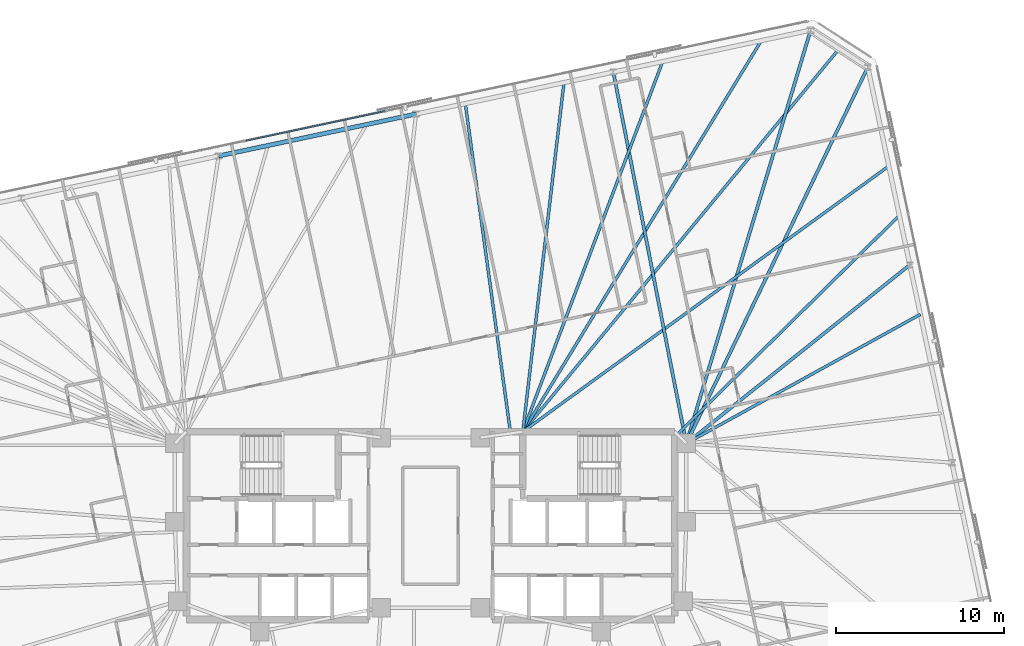
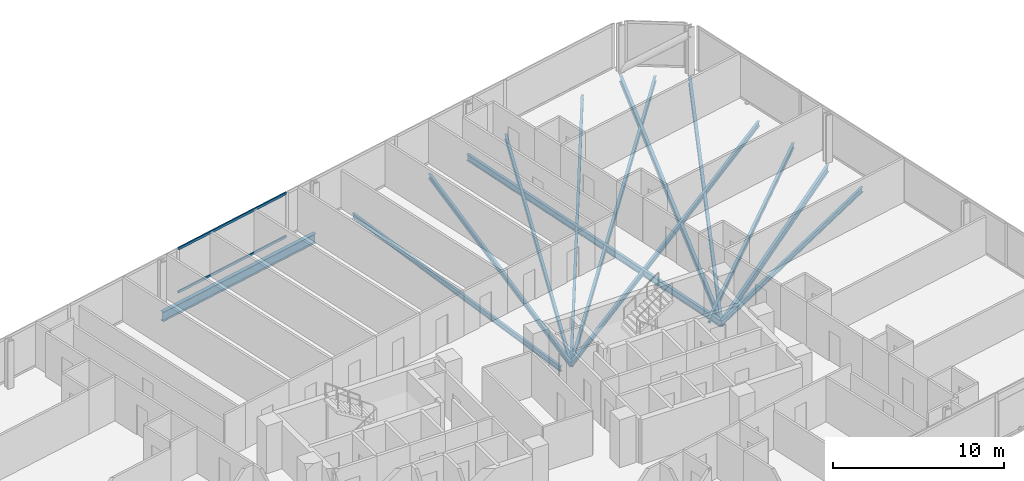
# One storey, part 10 of 21: 13 beams, 2 members, 1 element without a shape of its own.
"""IFC4 building model written with IfcOpenShell, lengths in metres."""

from ifc_helpers import new_model, si_unit, direction, frame, origin, origin_2d, place, context, subcontext, project, spatial, rectangle, i_section, extrude, material, material_profile, profile_set, type_object, element, aggregate, save


model = new_model("IFC4")

# Units and contexts
model_context = context("Model", 3, precision=1e-05, world=origin(), true_north=direction((0.0, 1.0)))
body_context = subcontext(model_context, "Body", "Model", "MODEL_VIEW")
ifc_project = project(units=[si_unit("LENGTHUNIT", "METRE"), si_unit("AREAUNIT", "SQUARE_METRE"), si_unit("VOLUMEUNIT", "CUBIC_METRE"), si_unit("PLANEANGLEUNIT", "RADIAN"), si_unit("MASSUNIT", "GRAM", prefix="KILO")], contexts=[model_context])

# Site, building, storey
site_placement = place(None, origin())
site = spatial("IfcSite", under=ifc_project, at=site_placement, CompositionType="ELEMENT")
building_placement = place(site_placement, origin())
building = spatial("IfcBuilding", under=site, at=building_placement, Name="Menara Jurai Vektor", CompositionType="ELEMENT")
storey_placement = place(building_placement, frame((0.0, 0.0, 168.39990234375)))
storey = spatial("IfcBuildingStorey", under=building, at=storey_placement, Name="L43", CompositionType="ELEMENT", Elevation=168.39990234375)

# Curtain wall, members
ifc_material_1 = material(Name="Anodised Pale Aluminium & Low-E Double Glazing", Category="aluminium")
curtain_wall_type = type_object("IfcCurtainWallType", Name="CW-BLK3", PredefinedType="NOTDEFINED", material=ifc_material_1)
curtain_wall_placement = place(storey_placement, origin())
curtain_wall = element("IfcCurtainWall", 1, at=curtain_wall_placement, inside=storey, type_object=curtain_wall_type, Name="Unitised Curtain Wall L43 F05", PredefinedType="NOTDEFINED")
ifc_material_2 = material(Name="Anodised Pale Aluminium Transom", Category="aluminium")
ifc_material_profile_1 = material_profile(ifc_material_2, rectangle(XDim=0.0849609375, YDim=0.175048828125, at=origin_2d()), Name="ALU TRN 85x175")
ifc_profile_set_1 = profile_set([ifc_material_profile_1], Name="Anodised Pale Aluminium Transom")
member_type = type_object("IfcMemberType", Name="CW-BLK3-TRN", PredefinedType="USERDEFINED", material=ifc_profile_set_1)
member_1_placement = place(storey_placement, frame((-2.716796875, 24.712890625, 0.04248046875), z_axis=(-0.978153589924, -0.207883511896, 0.0), x_axis=(0.207883511896, -0.978153589924, 0.0)))
member_1 = element("IfcMember", 2, at=member_1_placement, type_object=member_type, Name="CW-03 transom 4.1", ObjectType="TRANSOM", PredefinedType="USERDEFINED", context=body_context, shape_type="SweptSolid", body=[
    extrude(rectangle(XDim=0.0849609375, YDim=0.175048828125, at=origin_2d()), origin(), (0.0, 0.0, 1.0), 8.4921875),
])
member_2_placement = place(storey_placement, frame((-2.716796875, 24.712890625, 3.132568359375), z_axis=(-0.978153589924, -0.207883511896, 0.0), x_axis=(0.207883511896, -0.978153589924, 0.0)))
member_2 = element("IfcMember", 3, at=member_2_placement, type_object=member_type, Name="CW-03 transom 4.2", ObjectType="TRANSOM", PredefinedType="USERDEFINED", context=body_context, shape_type="SweptSolid", body=[
    extrude(rectangle(XDim=0.0849609375, YDim=0.175048828125, at=origin_2d()), origin(), (0.0, 0.0, 1.0), 8.4921875),
])
aggregate(curtain_wall, [member_1, member_2])

# Beams
ifc_material_3 = material(Name="Steel S355", Category="steel")
ifc_material_profile_2 = material_profile(ifc_material_3, i_section(OverallWidth=0.19091796875, OverallDepth=0.4599609375, WebThickness=0.010009765625, FlangeThickness=0.01611328125, FilletRadius=0.010009765625, at=origin_2d()), Name="UKB 457x191x82")
ifc_profile_set_2 = profile_set([ifc_material_profile_2], Name="Steel S355")
beam_type_1 = type_object("IfcBeamType", Name="STR-BM-457", PredefinedType="BEAM", material=ifc_profile_set_2)
beam_1_placement = place(storey_placement, frame((28.5771484375, 15.544921875, -0.454833984375), z_axis=(-0.781346163898, -0.624097886683, 0.0), x_axis=(0.624097886683, -0.781346163898, 0.0)))
element("IfcBeam", 4, at=beam_1_placement, inside=storey, type_object=beam_type_1, Name="Radial Floor Girder L43-E3", PredefinedType="BEAM", context=body_context, shape_type="SweptSolid", body=[
    extrude(i_section(OverallWidth=0.19091796875, OverallDepth=0.4599609375, WebThickness=0.010009765625, FlangeThickness=0.01611328125, FilletRadius=0.010009765625, at=origin_2d()), origin(), (0.0, 0.0, 1.0), 17.056640625),
])
beam_2_placement = place(storey_placement, frame((26.0712890625, 27.33349609375, -0.454833984375), z_axis=(-0.434465059539, -0.900688687639, 0.0), x_axis=(0.900688687639, -0.434465059539, 0.0)))
element("IfcBeam", 5, at=beam_2_placement, inside=storey, type_object=beam_type_1, Name="Radial Floor Girder L43-E4", PredefinedType="BEAM", context=body_context, shape_type="SweptSolid", body=[
    extrude(i_section(OverallWidth=0.19091796875, OverallDepth=0.4599609375, WebThickness=0.010009765625, FlangeThickness=0.01611328125, FilletRadius=0.010009765625, at=origin_2d()), origin(), (0.0, 0.0, 1.0), 24.9072265625),
])
beam_3_placement = place(storey_placement, frame((22.664794921875, 29.545654296875, -0.454833984375), z_axis=(-0.288098843548, -0.957600676872, 0.0), x_axis=(0.957600676872, -0.288098843548, 0.0)))
element("IfcBeam", 6, at=beam_3_placement, inside=storey, type_object=beam_type_1, Name="Radial Floor Girder L43-N1", PredefinedType="BEAM", context=body_context, shape_type="SweptSolid", body=[
    extrude(i_section(OverallWidth=0.19091796875, OverallDepth=0.4599609375, WebThickness=0.010009765625, FlangeThickness=0.01611328125, FilletRadius=0.010009765625, at=origin_2d()), origin(), (0.0, 0.0, 1.0), 25.737060546875),
])
beam_4_placement = place(storey_placement, frame((10.896484375, 27.044189453125, -0.454833984375), z_axis=(0.192905075816, -0.981217423268, 0.0), x_axis=(0.981217423268, 0.192905075816, 0.0)))
element("IfcBeam", 7, at=beam_4_placement, inside=storey, type_object=beam_type_1, Name="Radial Floor Girder L43-N2", PredefinedType="BEAM", context=body_context, shape_type="SweptSolid", body=[
    extrude(i_section(OverallWidth=0.19091796875, OverallDepth=0.4599609375, WebThickness=0.010009765625, FlangeThickness=0.01611328125, FilletRadius=0.010009765625, at=origin_2d()), origin(), (0.0, 0.0, 1.0), 22.568115234375),
])
ifc_material_profile_3 = material_profile(ifc_material_3, i_section(OverallWidth=0.172119140625, OverallDepth=0.35498046875, WebThickness=0.007080078125, FlangeThickness=0.011962890625, FilletRadius=0.010009765625, at=origin_2d()), Name="UKB 356x171x51")
ifc_profile_set_3 = profile_set([ifc_material_profile_3], Name="Steel S355")
beam_type_2 = type_object("IfcBeamType", Name="STR-JS-356", PredefinedType="JOIST", material=ifc_profile_set_3)
beam_5_placement = place(storey_placement, frame((29.20361328125, 12.597900390625, -0.40234375), z_axis=(-0.875592207488, -0.483051018202, 0.0), x_axis=(0.483051018202, -0.875592207488, 0.0)))
element("IfcBeam", 8, at=beam_5_placement, inside=storey, type_object=beam_type_2, Name="Radial Secondary Floor Joist L43-JS14", PredefinedType="JOIST", context=body_context, shape_type="SweptSolid", body=[
    extrude(i_section(OverallWidth=0.172119140625, OverallDepth=0.35498046875, WebThickness=0.007080078125, FlangeThickness=0.011962890625, FilletRadius=0.010009765625, at=origin_2d()), origin(), (0.0, 0.0, 1.0), 15.936279296875),
])
beam_6_placement = place(storey_placement, frame((27.95068359375, 18.4921875, -0.40234375), z_axis=(-0.712171791789, -0.702005227174, 0.0), x_axis=(0.702005227174, -0.712171791789, 0.0)))
element("IfcBeam", 9, at=beam_6_placement, inside=storey, type_object=beam_type_2, Name="Radial Secondary Floor Joist L43-JS15", PredefinedType="JOIST", context=body_context, shape_type="SweptSolid", body=[
    extrude(i_section(OverallWidth=0.172119140625, OverallDepth=0.35498046875, WebThickness=0.007080078125, FlangeThickness=0.011962890625, FilletRadius=0.010009765625, at=origin_2d()), origin(), (0.0, 0.0, 1.0), 18.5869140625),
])
beam_7_placement = place(storey_placement, frame((27.32421875, 21.439208984375, -0.40234375), z_axis=(-0.809318640486, -0.587369847848, 0.0), x_axis=(0.587369847848, -0.809318640486, 0.0)))
element("IfcBeam", 10, at=beam_7_placement, inside=storey, type_object=beam_type_2, Name="Radial Secondary Floor Joist L43-JS16", PredefinedType="JOIST", context=body_context, shape_type="SweptSolid", body=[
    extrude(i_section(OverallWidth=0.172119140625, OverallDepth=0.35498046875, WebThickness=0.007080078125, FlangeThickness=0.011962890625, FilletRadius=0.010009765625, at=origin_2d()), origin(), (0.0, 0.0, 1.0), 26.966064453125),
])
beam_8_placement = place(storey_placement, frame((24.3681640625, 28.439697265625, -0.40234375), z_axis=(-0.636894863934, -0.770950667873, 0.0), x_axis=(0.770950667873, -0.636894863934, 0.0)))
element("IfcBeam", 11, at=beam_8_placement, inside=storey, type_object=beam_type_2, Name="Radial Secondary Floor Joist L43-JS17", PredefinedType="JOIST", context=body_context, shape_type="SweptSolid", body=[
    extrude(i_section(OverallWidth=0.172119140625, OverallDepth=0.35498046875, WebThickness=0.007080078125, FlangeThickness=0.011962890625, FilletRadius=0.010009765625, at=origin_2d()), origin(), (0.0, 0.0, 1.0), 29.625244140625),
])
beam_9_placement = place(storey_placement, frame((19.72265625, 28.92041015625, -0.40234375), z_axis=(-0.520686242997, -0.8537481106, 0.0), x_axis=(0.8537481106, -0.520686242997, 0.0)))
element("IfcBeam", 12, at=beam_9_placement, inside=storey, type_object=beam_type_2, Name="Radial Secondary Floor Joist L43-JS18", PredefinedType="JOIST", context=body_context, shape_type="SweptSolid", body=[
    extrude(i_section(OverallWidth=0.172119140625, OverallDepth=0.35498046875, WebThickness=0.007080078125, FlangeThickness=0.011962890625, FilletRadius=0.010009765625, at=origin_2d()), origin(), (0.0, 0.0, 1.0), 27.315185546875),
])
beam_10_placement = place(storey_placement, frame((13.838623046875, 27.669677734375, -0.40234375), z_axis=(-0.353446048928, -0.935454910991, 0.0), x_axis=(0.935454910991, -0.353446048928, 0.0)))
element("IfcBeam", 13, at=beam_10_placement, inside=storey, type_object=beam_type_2, Name="Radial Secondary Floor Joist L43-JS19", PredefinedType="JOIST", context=body_context, shape_type="SweptSolid", body=[
    extrude(i_section(OverallWidth=0.172119140625, OverallDepth=0.35498046875, WebThickness=0.007080078125, FlangeThickness=0.011962890625, FilletRadius=0.010009765625, at=origin_2d()), origin(), (0.0, 0.0, 1.0), 23.59228515625),
])
beam_11_placement = place(storey_placement, frame((7.95458984375, 26.4189453125, -0.40234375), z_axis=(-0.117091260338, -0.99312115915, 0.0), x_axis=(0.99312115915, -0.117091260338, 0.0)))
element("IfcBeam", 14, at=beam_11_placement, inside=storey, type_object=beam_type_2, Name="Radial Secondary Floor Joist L43-JS20", PredefinedType="JOIST", context=body_context, shape_type="SweptSolid", body=[
    extrude(i_section(OverallWidth=0.172119140625, OverallDepth=0.35498046875, WebThickness=0.007080078125, FlangeThickness=0.011962890625, FilletRadius=0.010009765625, at=origin_2d()), origin(), (0.0, 0.0, 1.0), 20.963134765625),
])
beam_12_placement = place(storey_placement, frame((2.0703125, 25.168212890625, -0.40234375), z_axis=(0.135985700778, -0.990710799973, 0.0), x_axis=(0.990710799973, 0.135985700778, 0.0)))
element("IfcBeam", 15, at=beam_12_placement, inside=storey, type_object=beam_type_2, Name="Radial Secondary Floor Joist L43-JS21", PredefinedType="JOIST", context=body_context, shape_type="SweptSolid", body=[
    extrude(i_section(OverallWidth=0.172119140625, OverallDepth=0.35498046875, WebThickness=0.007080078125, FlangeThickness=0.011962890625, FilletRadius=0.010009765625, at=origin_2d()), origin(), (0.0, 0.0, 1.0), 19.852783203125),
])
ifc_material_4 = material(Name="Steel S460", Category="steel")
ifc_material_profile_4 = material_profile(ifc_material_4, i_section(OverallWidth=0.256103515625, OverallDepth=0.693115234375, WebThickness=0.013916015625, FlangeThickness=0.02392578125, FilletRadius=0.014892578125, at=origin_2d()), Name="UKB 686x254x170")
ifc_profile_set_4 = profile_set([ifc_material_profile_4], Name="Steel S460")
beam_type_3 = type_object("IfcBeamType", Name="STR-SP-686", PredefinedType="SPANDREL", material=ifc_profile_set_4)
beam_13_placement = place(storey_placement, frame((-0.87158203125, 24.54296875, -0.5712890625), z_axis=(-0.978147039247, -0.207914332389, 0.0), x_axis=(0.207914332389, -0.978147039247, 0.0)))
element("IfcBeam", 16, at=beam_13_placement, inside=storey, type_object=beam_type_3, Name="Exoskeleton Spandrel Beam L43-13", PredefinedType="SPANDREL", context=body_context, shape_type="SweptSolid", body=[
    extrude(i_section(OverallWidth=0.256103515625, OverallDepth=0.693115234375, WebThickness=0.013916015625, FlangeThickness=0.02392578125, FilletRadius=0.014892578125, at=origin_2d()), origin(), (0.0, 0.0, 1.0), 12.03125),
])

save(model, "model.ifc")
